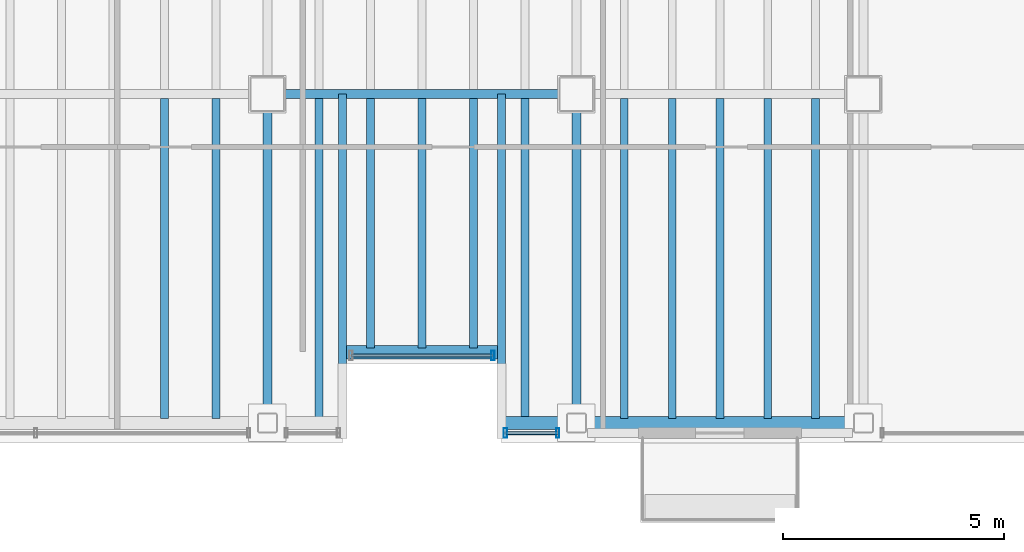
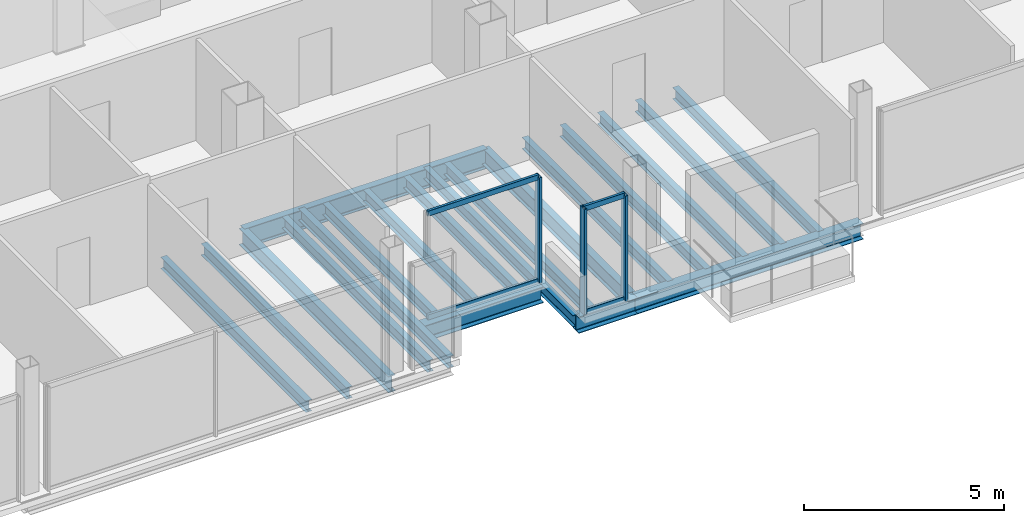
# One storey, part 6 of 17: 20 beams, 7 members, 2 elements without a shape of their own.
"""IFC4 building model written with IfcOpenShell, lengths in metres."""

from ifc_helpers import new_model, si_unit, direction, frame, origin, origin_2d, place, context, subcontext, project, spatial, hollow_rectangle, i_section, extrude, material, material_profile, profile_set, type_object, element, aggregate, save


model = new_model("IFC4")

# Units and contexts
model_context = context("Model", 3, precision=1e-05, world=origin(), true_north=direction((0.0, 1.0)))
body_context = subcontext(model_context, "Body", "Model", "MODEL_VIEW")
ifc_project = project(units=[si_unit("LENGTHUNIT", "METRE"), si_unit("AREAUNIT", "SQUARE_METRE"), si_unit("VOLUMEUNIT", "CUBIC_METRE"), si_unit("PLANEANGLEUNIT", "RADIAN"), si_unit("MASSUNIT", "GRAM", prefix="KILO")], contexts=[model_context])

# Site, building, storey
site_placement = place(None, origin())
site = spatial("IfcSite", under=ifc_project, at=site_placement, CompositionType="ELEMENT")
building_placement = place(site_placement, origin())
building = spatial("IfcBuilding", under=site, at=building_placement, Name="Noeulbin Bourse Tower", CompositionType="ELEMENT")
storey_placement = place(building_placement, frame((0.0, 0.0, 250.10009765625)))
storey = spatial("IfcBuildingStorey", under=building, at=storey_placement, Name="L62", CompositionType="ELEMENT", Elevation=250.10009765625)

# Beams
ifc_material_1 = material(Name="Steel S355", Category="steel")
ifc_material_profile_1 = material_profile(ifc_material_1, i_section(OverallWidth=0.199951171875, OverallDepth=0.5, WebThickness=0.010009765625, FlangeThickness=0.01611328125, FilletRadius=0.02001953125, at=origin_2d()), Name="H-500x200x10x16", Category="LoadBearing")
ifc_profile_set_1 = profile_set([ifc_material_profile_1], Name="Steel S355")
beam_type_1 = type_object("IfcBeamType", Name="BM-GRD-500", PredefinedType="USERDEFINED", material=ifc_profile_set_1)
for number, where, z_axis, x_axis, name in (
    (1, (24.0, 12.550048828125, -0.43017578125), (0.0, 1.0, 0.0), (-1.0, 0.0, 0.0), "Tower Primary Girder NS L62-2.1"),
    (2, (31.0, 12.550048828125, -0.43017578125), (0.0, 1.0, 0.0), (-1.0, 0.0, 0.0), "Tower Primary Girder NS L62-3.1"),
):
    element("IfcBeam", number, at=place(storey_placement, frame(where, z_axis=z_axis, x_axis=x_axis)), inside=storey, type_object=beam_type_1, Name=name, ObjectType="GIRDER", PredefinedType="USERDEFINED", context=body_context, shape_type="SweptSolid", body=[
        extrude(i_section(OverallWidth=0.199951171875, OverallDepth=0.5, WebThickness=0.010009765625, FlangeThickness=0.01611328125, FilletRadius=0.02001953125, at=origin_2d()), origin(), (0.0, 0.0, 1.0), 7.449951171875),
    ])
ifc_material_profile_2 = material_profile(ifc_material_1, i_section(OverallWidth=0.199951171875, OverallDepth=0.60009765625, WebThickness=0.010986328125, FlangeThickness=0.01708984375, FilletRadius=0.02197265625, at=origin_2d()), Name="H-600x200x11x17", Category="LoadBearing")
ifc_profile_set_2 = profile_set([ifc_material_profile_2], Name="Steel S355")
beam_type_2 = type_object("IfcBeamType", Name="BM-GRD-600", PredefinedType="USERDEFINED", material=ifc_profile_set_2)
beam_1_placement = place(storey_placement, frame((24.0, 20.0, -0.47998046875), z_axis=(1.0, 0.0, 0.0), x_axis=(0.0, 1.0, 0.0)))
element("IfcBeam", 3, at=beam_1_placement, inside=storey, type_object=beam_type_2, Name="Tower Primary Girder EW L62-1.3", ObjectType="GIRDER", PredefinedType="USERDEFINED", context=body_context, shape_type="SweptSolid", body=[
    extrude(i_section(OverallWidth=0.199951171875, OverallDepth=0.60009765625, WebThickness=0.010986328125, FlangeThickness=0.01708984375, FilletRadius=0.02197265625, at=origin_2d()), origin(), (0.0, 0.0, 1.0), 7.0),
])
ifc_material_profile_3 = material_profile(ifc_material_1, i_section(OverallWidth=0.175048828125, OverallDepth=0.35009765625, WebThickness=0.007080078125, FlangeThickness=0.010986328125, FilletRadius=0.013916015625, at=origin_2d()), Name="H-350x175x7x11", Category="LoadBearing")
ifc_profile_set_3 = profile_set([ifc_material_profile_3], Name="Steel S355")
beam_type_3 = type_object("IfcBeamType", Name="BM-JST-350", PredefinedType="JOIST", material=ifc_profile_set_3)
for number, where, z_axis, x_axis, name in (
    (4, (25.699951171875, 12.550048828125, -0.35498046875), (0.0, 1.0, 0.0), (-1.0, 0.0, 0.0), "BM-L62-SRT-W"),
    (5, (29.300048828125, 12.550048828125, -0.35498046875), (0.0, 1.0, 0.0), (-1.0, 0.0, 0.0), "BM-L62-SRT-E"),
):
    element("IfcBeam", number, at=place(storey_placement, frame(where, z_axis=z_axis, x_axis=x_axis)), inside=storey, type_object=beam_type_3, Name=name, PredefinedType="JOIST", context=body_context, shape_type="SweptSolid", body=[
        extrude(i_section(OverallWidth=0.175048828125, OverallDepth=0.35009765625, WebThickness=0.007080078125, FlangeThickness=0.010986328125, FilletRadius=0.013916015625, at=origin_2d()), origin(), (0.0, 0.0, 1.0), 7.449951171875),
    ])
for number, where, z_axis, x_axis, name in (
    (6, (21.666748046875, 12.64990234375, -0.35498046875), (0.0, 1.0, 0.0), (-1.0, 0.0, 0.0), "Tower Composite Joist L62-13"),
    (7, (22.833251953125, 12.64990234375, -0.35498046875), (0.0, 1.0, 0.0), (-1.0, 0.0, 0.0), "Tower Composite Joist L62-15"),
    (8, (25.166748046875, 12.64990234375, -0.35498046875), (0.0, 1.0, 0.0), (-1.0, 0.0, 0.0), "Tower Composite Joist L62-17"),
):
    element("IfcBeam", number, at=place(storey_placement, frame(where, z_axis=z_axis, x_axis=x_axis)), inside=storey, type_object=beam_type_3, Name=name, PredefinedType="JOIST", context=body_context, shape_type="SweptSolid", body=[
        extrude(i_section(OverallWidth=0.175048828125, OverallDepth=0.35009765625, WebThickness=0.007080078125, FlangeThickness=0.010986328125, FilletRadius=0.013916015625, at=origin_2d()), origin(), (0.0, 0.0, 1.0), 7.25),
    ])
for number, where, z_axis, x_axis, name in (
    (9, (26.333251953125, 14.25, -0.35498046875), (0.0, 1.0, 0.0), (-1.0, 0.0, 0.0), "Tower Composite Joist L62-19"),
    (10, (27.5, 14.25, -0.35498046875), (0.0, 1.0, 0.0), (-1.0, 0.0, 0.0), "Tower Composite Joist L62-21"),
    (11, (28.666748046875, 14.25, -0.35498046875), (0.0, 1.0, 0.0), (-1.0, 0.0, 0.0), "Tower Composite Joist L62-23"),
):
    element("IfcBeam", number, at=place(storey_placement, frame(where, z_axis=z_axis, x_axis=x_axis)), inside=storey, type_object=beam_type_3, Name=name, PredefinedType="JOIST", context=body_context, shape_type="SweptSolid", body=[
        extrude(i_section(OverallWidth=0.175048828125, OverallDepth=0.35009765625, WebThickness=0.007080078125, FlangeThickness=0.010986328125, FilletRadius=0.013916015625, at=origin_2d()), origin(), (0.0, 0.0, 1.0), 5.64990234375),
    ])
for number, where, z_axis, x_axis, name in (
    (12, (29.833251953125, 12.64990234375, -0.35498046875), (0.0, 1.0, 0.0), (-1.0, 0.0, 0.0), "Tower Composite Joist L62-25"),
    (13, (32.083251953125, 12.64990234375, -0.35498046875), (0.0, 1.0, 0.0), (-1.0, 0.0, 0.0), "Tower Composite Joist L62-27"),
    (14, (33.166748046875, 12.64990234375, -0.35498046875), (0.0, 1.0, 0.0), (-1.0, 0.0, 0.0), "Tower Composite Joist L62-29"),
    (15, (34.25, 12.64990234375, -0.35498046875), (0.0, 1.0, 0.0), (-1.0, 0.0, 0.0), "Tower Composite Joist L62-31"),
    (16, (35.333251953125, 12.64990234375, -0.35498046875), (0.0, 1.0, 0.0), (-1.0, 0.0, 0.0), "Tower Composite Joist L62-33"),
    (17, (36.416748046875, 12.64990234375, -0.35498046875), (0.0, 1.0, 0.0), (-1.0, 0.0, 0.0), "Tower Composite Joist L62-35"),
):
    element("IfcBeam", number, at=place(storey_placement, frame(where, z_axis=z_axis, x_axis=x_axis)), inside=storey, type_object=beam_type_3, Name=name, PredefinedType="JOIST", context=body_context, shape_type="SweptSolid", body=[
        extrude(i_section(OverallWidth=0.175048828125, OverallDepth=0.35009765625, WebThickness=0.007080078125, FlangeThickness=0.010986328125, FilletRadius=0.013916015625, at=origin_2d()), origin(), (0.0, 0.0, 1.0), 7.25),
    ])
ifc_material_profile_4 = material_profile(ifc_material_1, i_section(OverallWidth=0.300048828125, OverallDepth=0.488037109375, WebThickness=0.010986328125, FlangeThickness=0.01806640625, FilletRadius=0.02197265625, at=origin_2d()), Name="H-488x300x11x18", Category="LoadBearing")
ifc_profile_set_4 = profile_set([ifc_material_profile_4], Name="Steel S355")
beam_type_4 = type_object("IfcBeamType", Name="BM-SPN-488", PredefinedType="SPANDREL", material=ifc_profile_set_4)
beam_2_placement = place(storey_placement, frame((25.78759765625, 14.14990234375, -0.424072265625), z_axis=(1.0, 0.0, 0.0), x_axis=(0.0, 1.0, 0.0)))
element("IfcBeam", 18, at=beam_2_placement, inside=storey, type_object=beam_type_4, Name="South Recess Spandrel L62-2B", PredefinedType="SPANDREL", context=body_context, shape_type="SweptSolid", body=[
    extrude(i_section(OverallWidth=0.300048828125, OverallDepth=0.488037109375, WebThickness=0.010986328125, FlangeThickness=0.01806640625, FilletRadius=0.02197265625, at=origin_2d()), origin(), (0.0, 0.0, 1.0), 3.4248046875),
])
beam_3_placement = place(storey_placement, frame((29.300048828125, 12.550048828125, -0.424072265625), z_axis=(1.0, 0.0, 0.0), x_axis=(0.0, 1.0, 0.0)))
element("IfcBeam", 19, at=beam_3_placement, inside=storey, type_object=beam_type_4, Name="South Spandrel L62-2C", PredefinedType="SPANDREL", context=body_context, shape_type="SweptSolid", body=[
    extrude(i_section(OverallWidth=0.300048828125, OverallDepth=0.488037109375, WebThickness=0.010986328125, FlangeThickness=0.01806640625, FilletRadius=0.02197265625, at=origin_2d()), origin(), (0.0, 0.0, 1.0), 1.699951171875),
])
beam_4_placement = place(storey_placement, frame((31.0, 12.550048828125, -0.424072265625), z_axis=(1.0, 0.0, 0.0), x_axis=(0.0, 1.0, 0.0)))
element("IfcBeam", 20, at=beam_4_placement, inside=storey, type_object=beam_type_4, Name="South Spandrel L62-3", PredefinedType="SPANDREL", context=body_context, shape_type="SweptSolid", body=[
    extrude(i_section(OverallWidth=0.300048828125, OverallDepth=0.488037109375, WebThickness=0.010986328125, FlangeThickness=0.01806640625, FilletRadius=0.02197265625, at=origin_2d()), origin(), (0.0, 0.0, 1.0), 6.5),
])

# Curtain wall, member
ifc_material_2 = material(Name="High-Selectivity Low-Iron Glazing", Category="glass")
curtain_wall_type = type_object("IfcCurtainWallType", Name="CW-SYS-4", PredefinedType="NOTDEFINED", material=ifc_material_2)
curtain_wall_1_placement = place(storey_placement, origin())
curtain_wall_1 = element("IfcCurtainWall", 21, at=curtain_wall_1_placement, inside=storey, type_object=curtain_wall_type, Name="Unitised Curtain Wall CW-L62-SREC", PredefinedType="NOTDEFINED")
ifc_material_3 = material(Name="Anodised Aluminium 6063-T6", Category="aluminium")
ifc_material_profile_5 = material_profile(ifc_material_3, hollow_rectangle(XDim=0.074951171875, YDim=0.219970703125, WallThickness=0.0048828125, InnerFilletRadius=0.00244140625, OuterFilletRadius=0.0048828125, at=origin_2d()), Name="ALU-MULL-75x220x5", Category="LoadBearing")
ifc_profile_set_5 = profile_set([ifc_material_profile_5], Name="Anodised Aluminium 6063-T6")
member_type_1 = type_object("IfcMemberType", Name="CW-SYS-4-MUL", PredefinedType="MULLION", material=ifc_profile_set_5)
member_1_placement = place(storey_placement, frame((29.110107421875, 14.080078125, -0.02001953125), z_axis=(0.0, 0.0, 1.0), x_axis=(1.0, 0.0, 0.0)))
member_1 = element("IfcMember", 22, at=member_1_placement, type_object=member_type_1, Name="Curtain Wall Mullion CW-L62-SREC-M01", PredefinedType="MULLION", context=body_context, shape_type="SweptSolid", body=[
    extrude(hollow_rectangle(XDim=0.074951171875, YDim=0.219970703125, WallThickness=0.0048828125, InnerFilletRadius=0.00244140625, OuterFilletRadius=0.0048828125, at=origin_2d()), origin(), (0.0, 0.0, 1.0), 3.219970703125),
])

# Curtain wall, members
curtain_wall_2_placement = place(storey_placement, origin())
curtain_wall_2 = element("IfcCurtainWall", 23, at=curtain_wall_2_placement, inside=storey, type_object=curtain_wall_type, Name="Unitised Curtain Wall CW-L62-S2", PredefinedType="NOTDEFINED")
member_2_placement = place(storey_placement, frame((29.389892578125, 12.320068359375, -0.02001953125), z_axis=(0.0, 0.0, 1.0), x_axis=(1.0, 0.0, 0.0)))
member_2 = element("IfcMember", 24, at=member_2_placement, type_object=member_type_1, Name="Curtain Wall Mullion CW-L62-S2-M00", PredefinedType="MULLION", context=body_context, shape_type="SweptSolid", body=[
    extrude(hollow_rectangle(XDim=0.074951171875, YDim=0.219970703125, WallThickness=0.0048828125, InnerFilletRadius=0.00244140625, OuterFilletRadius=0.0048828125, at=origin_2d()), origin(), (0.0, 0.0, 1.0), 3.219970703125),
])
member_3_placement = place(storey_placement, frame((30.574951171875, 12.320068359375, -0.02001953125), z_axis=(0.0, 0.0, 1.0), x_axis=(1.0, 0.0, 0.0)))
member_3 = element("IfcMember", 25, at=member_3_placement, type_object=member_type_1, Name="Curtain Wall Mullion CW-L62-S2-M01", PredefinedType="MULLION", context=body_context, shape_type="SweptSolid", body=[
    extrude(hollow_rectangle(XDim=0.074951171875, YDim=0.219970703125, WallThickness=0.0048828125, InnerFilletRadius=0.00244140625, OuterFilletRadius=0.0048828125, at=origin_2d()), origin(), (0.0, 0.0, 1.0), 3.219970703125),
])

# Member
ifc_material_profile_6 = material_profile(ifc_material_3, hollow_rectangle(XDim=0.074951171875, YDim=0.159912109375, WallThickness=0.0048828125, InnerFilletRadius=0.00244140625, OuterFilletRadius=0.0048828125, at=origin_2d()), Name="ALU-TRAN-75x160x5", Category="LoadBearing")
ifc_profile_set_6 = profile_set([ifc_material_profile_6], Name="Anodised Aluminium 6063-T6")
member_type_2 = type_object("IfcMemberType", Name="CW-SYS-4-TRN", PredefinedType="USERDEFINED", material=ifc_profile_set_6)
member_4_placement = place(storey_placement, frame((25.89990234375, 14.080078125, 0.010009765625), z_axis=(1.0, 0.0, 0.0), x_axis=(0.0, 1.0, 0.0)))
member_4 = element("IfcMember", 26, at=member_4_placement, type_object=member_type_2, Name="Curtain Wall Transom CW-L62-SREC-T00", ObjectType="TRANSOM", PredefinedType="USERDEFINED", context=body_context, shape_type="SweptSolid", body=[
    extrude(hollow_rectangle(XDim=0.074951171875, YDim=0.159912109375, WallThickness=0.0048828125, InnerFilletRadius=0.00244140625, OuterFilletRadius=0.0048828125, at=origin_2d()), origin(), (0.0, 0.0, 1.0), 3.2001953125),
])

member_5_placement = place(storey_placement, frame((25.89990234375, 14.080078125, 3.169921875), z_axis=(1.0, 0.0, 0.0), x_axis=(0.0, 1.0, 0.0)))
member_5 = element("IfcMember", 27, at=member_5_placement, type_object=member_type_2, Name="Curtain Wall Transom CW-L62-SREC-T01", ObjectType="TRANSOM", PredefinedType="USERDEFINED", context=body_context, shape_type="SweptSolid", body=[
    extrude(hollow_rectangle(XDim=0.074951171875, YDim=0.159912109375, WallThickness=0.0048828125, InnerFilletRadius=0.00244140625, OuterFilletRadius=0.0048828125, at=origin_2d()), origin(), (0.0, 0.0, 1.0), 3.2001953125),
])

aggregate(curtain_wall_1, [member_1, member_4, member_5])

member_6_placement = place(storey_placement, frame((29.39990234375, 12.320068359375, 0.010009765625), z_axis=(1.0, 0.0, 0.0), x_axis=(0.0, 1.0, 0.0)))
member_6 = element("IfcMember", 28, at=member_6_placement, type_object=member_type_2, Name="Curtain Wall Transom CW-L62-S2-T00", ObjectType="TRANSOM", PredefinedType="USERDEFINED", context=body_context, shape_type="SweptSolid", body=[
    extrude(hollow_rectangle(XDim=0.074951171875, YDim=0.159912109375, WallThickness=0.0048828125, InnerFilletRadius=0.00244140625, OuterFilletRadius=0.0048828125, at=origin_2d()), origin(), (0.0, 0.0, 1.0), 1.1650390625),
])

member_7_placement = place(storey_placement, frame((29.39990234375, 12.320068359375, 3.169921875), z_axis=(1.0, 0.0, 0.0), x_axis=(0.0, 1.0, 0.0)))
member_7 = element("IfcMember", 29, at=member_7_placement, type_object=member_type_2, Name="Curtain Wall Transom CW-L62-S2-T01", ObjectType="TRANSOM", PredefinedType="USERDEFINED", context=body_context, shape_type="SweptSolid", body=[
    extrude(hollow_rectangle(XDim=0.074951171875, YDim=0.159912109375, WallThickness=0.0048828125, InnerFilletRadius=0.00244140625, OuterFilletRadius=0.0048828125, at=origin_2d()), origin(), (0.0, 0.0, 1.0), 1.1650390625),
])

aggregate(curtain_wall_2, [member_2, member_3, member_6, member_7])

save(model, "model.ifc")
